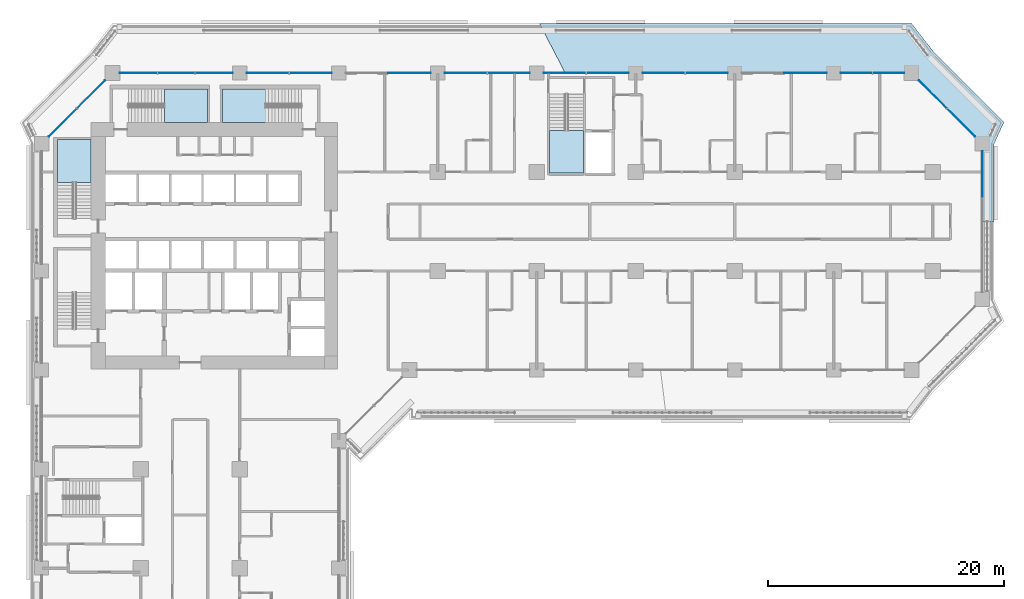
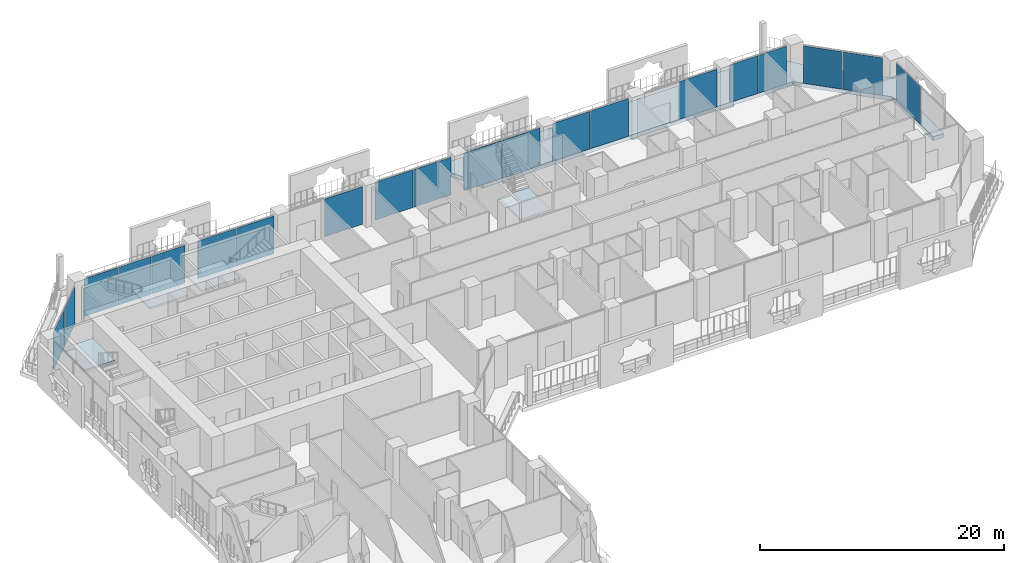
# One storey, part 12 of 28: 20 plates, 5 slabs, 8 elements without a shape of their own.
"""IFC4 building model written with IfcOpenShell, lengths in metres."""

from ifc_helpers import new_model, si_unit, direction, frame, origin, origin_2d, place, context, subcontext, project, spatial, polyline, rectangle, outline, extrude, material, layer, layer_set, type_object, element, aggregate, save


model = new_model("IFC4")

# Units and contexts
model_context = context("Model", 3, precision=1e-05, world=origin(), true_north=direction((0.0, 1.0)))
body_context = subcontext(model_context, "Body", "Model", "MODEL_VIEW")
ifc_project = project(units=[si_unit("LENGTHUNIT", "METRE"), si_unit("AREAUNIT", "SQUARE_METRE"), si_unit("VOLUMEUNIT", "CUBIC_METRE"), si_unit("PLANEANGLEUNIT", "RADIAN"), si_unit("MASSUNIT", "GRAM", prefix="KILO")], contexts=[model_context])

# Site, building, storey
site_placement = place(None, origin())
site = spatial("IfcSite", under=ifc_project, at=site_placement, CompositionType="ELEMENT")
building_placement = place(site_placement, origin())
building = spatial("IfcBuilding", under=site, at=building_placement, Name="Kawkab Arch Medical Tower", CompositionType="ELEMENT")
storey_placement = place(building_placement, frame((0.0, 0.0, 72.800048828125)))
storey = spatial("IfcBuildingStorey", under=building, at=storey_placement, Name="L16", CompositionType="ELEMENT", Elevation=72.800048828125)

# Curtain wall, plate
ifc_material_1 = material(Name="Bronze anodised aluminium curtain wall frame", Category="aluminium")
ifc_layer_1 = layer(ifc_material_1, 0.159912109375)
ifc_layer_set_1 = layer_set([ifc_layer_1], Name="Bronze anodised aluminium curtain wall frame")
curtain_wall_type_1 = type_object("IfcCurtainWallType", Name="CW1 ward curtain wall", PredefinedType="NOTDEFINED", material=ifc_layer_set_1)
placement_1 = place(storey_placement, origin())
curtain_wall_1 = element("IfcCurtainWall", 1, at=placement_1, inside=storey, type_object=curtain_wall_type_1, Name="CW1 Ward curtain wall R09", PredefinedType="NOTDEFINED")
ifc_material_2 = material(Name="Tinted insulating glass, bronze low-e coating", Category="glass")
ifc_layer_2 = layer(ifc_material_2, 0.031982421875)
ifc_layer_set_2 = layer_set([ifc_layer_2], Name="Tinted insulating glass, bronze low-e coating")
plate_type_1 = type_object("IfcPlateType", Name="CW1 glazing unit 32", PredefinedType="CURTAIN_PANEL", material=ifc_layer_set_2)
plate_1_placement = place(storey_placement, frame((79.800048828125, -8.6015625, 0.0), z_axis=(0.0, 0.0, 1.0), x_axis=(0.0, 1.0, 0.0)))
plate_1 = element("IfcPlate", 2, at=plate_1_placement, type_object=plate_type_1, Name="CW1 glazing unit 1.3", PredefinedType="CURTAIN_PANEL", context=body_context, shape_type="SweptSolid", body=[
    extrude(rectangle(XDim=3.953369140625, YDim=0.031982421875, at=origin_2d()), origin(), (0.0, 0.0, 1.0), 3.780029296875),
])
aggregate(curtain_wall_1, [plate_1])

# Curtain wall, plates
curtain_wall_2 = element("IfcCurtainWall", 3, at=placement_1, inside=storey, type_object=curtain_wall_type_1, Name="CW1 Ward curtain wall R11", PredefinedType="NOTDEFINED")
plate_2_placement = place(storey_placement, frame((71.84619140625, 0.0, 0.0), z_axis=(0.0, 0.0, 1.0), x_axis=(-1.0, 0.0, 0.0)))
plate_2 = element("IfcPlate", 4, at=plate_2_placement, type_object=plate_type_1, Name="CW1 glazing unit 1.1", PredefinedType="CURTAIN_PANEL", context=body_context, shape_type="SweptSolid", body=[
    extrude(rectangle(XDim=2.657470703125, YDim=0.031982421875, at=origin_2d()), origin(), (0.0, 0.0, 1.0), 3.780029296875),
])
plate_3_placement = place(storey_placement, frame((69.128662109375, 0.0, 0.0), z_axis=(0.0, 0.0, 1.0), x_axis=(-1.0, 0.0, 0.0)))
plate_3 = element("IfcPlate", 5, at=plate_3_placement, type_object=plate_type_1, Name="CW1 glazing unit 1.2", PredefinedType="CURTAIN_PANEL", context=body_context, shape_type="SweptSolid", body=[
    extrude(rectangle(XDim=2.657470703125, YDim=0.031982421875, at=origin_2d()), origin(), (0.0, 0.0, 1.0), 3.780029296875),
])
plate_4_placement = place(storey_placement, frame((64.800048828125, 0.0, 0.0), z_axis=(0.0, 0.0, 1.0), x_axis=(-1.0, 0.0, 0.0)))
plate_4 = element("IfcPlate", 6, at=plate_4_placement, type_object=plate_type_1, Name="CW1 glazing unit 2.1", PredefinedType="CURTAIN_PANEL", context=body_context, shape_type="SweptSolid", body=[
    extrude(rectangle(XDim=3.60009765625, YDim=0.031982421875, at=origin_2d()), origin(), (0.0, 0.0, 1.0), 3.780029296875),
])
plate_5_placement = place(storey_placement, frame((56.4150390625, 0.0, 0.0), z_axis=(0.0, 0.0, 1.0), x_axis=(-1.0, 0.0, 0.0)))
plate_5 = element("IfcPlate", 7, at=plate_5_placement, type_object=plate_type_1, Name="CW1 glazing unit 3.1", PredefinedType="CURTAIN_PANEL", context=body_context, shape_type="SweptSolid", body=[
    extrude(rectangle(XDim=3.570068359375, YDim=0.031982421875, at=origin_2d()), origin(), (0.0, 0.0, 1.0), 3.780029296875),
])
plate_6_placement = place(storey_placement, frame((52.784912109375, 0.0, 0.0), z_axis=(0.0, 0.0, 1.0), x_axis=(-1.0, 0.0, 0.0)))
plate_6 = element("IfcPlate", 8, at=plate_6_placement, type_object=plate_type_1, Name="CW1 glazing unit 3.2", PredefinedType="CURTAIN_PANEL", context=body_context, shape_type="SweptSolid", body=[
    extrude(rectangle(XDim=3.570068359375, YDim=0.031982421875, at=origin_2d()), origin(), (0.0, 0.0, 1.0), 3.780029296875),
])
plate_7_placement = place(storey_placement, frame((48.014892578125, 0.0, 0.0), z_axis=(0.0, 0.0, 1.0), x_axis=(-1.0, 0.0, 0.0)))
plate_7 = element("IfcPlate", 9, at=plate_7_placement, type_object=plate_type_1, Name="CW1 glazing unit 4.1", PredefinedType="CURTAIN_PANEL", context=body_context, shape_type="SweptSolid", body=[
    extrude(rectangle(XDim=3.570068359375, YDim=0.031982421875, at=origin_2d()), origin(), (0.0, 0.0, 1.0), 3.780029296875),
])
plate_8_placement = place(storey_placement, frame((44.385009765625, 0.0, 0.0), z_axis=(0.0, 0.0, 1.0), x_axis=(-1.0, 0.0, 0.0)))
plate_8 = element("IfcPlate", 10, at=plate_8_placement, type_object=plate_type_1, Name="CW1 glazing unit 4.2", PredefinedType="CURTAIN_PANEL", context=body_context, shape_type="SweptSolid", body=[
    extrude(rectangle(XDim=3.570068359375, YDim=0.031982421875, at=origin_2d()), origin(), (0.0, 0.0, 1.0), 3.780029296875),
])
plate_9_placement = place(storey_placement, frame((39.614990234375, 0.0, 0.0), z_axis=(0.0, 0.0, 1.0), x_axis=(-1.0, 0.0, 0.0)))
plate_9 = element("IfcPlate", 11, at=plate_9_placement, type_object=plate_type_1, Name="CW1 glazing unit 5.1", PredefinedType="CURTAIN_PANEL", context=body_context, shape_type="SweptSolid", body=[
    extrude(rectangle(XDim=3.570068359375, YDim=0.031982421875, at=origin_2d()), origin(), (0.0, 0.0, 1.0), 3.780029296875),
])
plate_10_placement = place(storey_placement, frame((35.985107421875, 0.0, 0.0), z_axis=(0.0, 0.0, 1.0), x_axis=(-1.0, 0.0, 0.0)))
plate_10 = element("IfcPlate", 12, at=plate_10_placement, type_object=plate_type_1, Name="CW1 glazing unit 5.2", PredefinedType="CURTAIN_PANEL", context=body_context, shape_type="SweptSolid", body=[
    extrude(rectangle(XDim=3.570068359375, YDim=0.031982421875, at=origin_2d()), origin(), (0.0, 0.0, 1.0), 3.780029296875),
])
plate_11_placement = place(storey_placement, frame((31.199951171875, 0.0, 0.0), z_axis=(0.0, 0.0, 1.0), x_axis=(-1.0, 0.0, 0.0)))
plate_11 = element("IfcPlate", 13, at=plate_11_placement, type_object=plate_type_1, Name="CW1 glazing unit 6.1", PredefinedType="CURTAIN_PANEL", context=body_context, shape_type="SweptSolid", body=[
    extrude(rectangle(XDim=3.60009765625, YDim=0.031982421875, at=origin_2d()), origin(), (0.0, 0.0, 1.0), 3.780029296875),
])
plate_12_placement = place(storey_placement, frame((22.81494140625, 0.0, 0.0), z_axis=(0.0, 0.0, 1.0), x_axis=(-1.0, 0.0, 0.0)))
plate_12 = element("IfcPlate", 14, at=plate_12_placement, type_object=plate_type_1, Name="CW1 glazing unit 7.1", PredefinedType="CURTAIN_PANEL", context=body_context, shape_type="SweptSolid", body=[
    extrude(rectangle(XDim=3.570068359375, YDim=0.031982421875, at=origin_2d()), origin(), (0.0, 0.0, 1.0), 3.780029296875),
])
plate_13_placement = place(storey_placement, frame((19.18505859375, 0.0, 0.0), z_axis=(0.0, 0.0, 1.0), x_axis=(-1.0, 0.0, 0.0)))
plate_13 = element("IfcPlate", 15, at=plate_13_placement, type_object=plate_type_1, Name="CW1 glazing unit 7.2", PredefinedType="CURTAIN_PANEL", context=body_context, shape_type="SweptSolid", body=[
    extrude(rectangle(XDim=3.570068359375, YDim=0.031982421875, at=origin_2d()), origin(), (0.0, 0.0, 1.0), 3.780029296875),
])
plate_14_placement = place(storey_placement, frame((14.619140625, 0.0, 0.0), z_axis=(0.0, 0.0, 1.0), x_axis=(-1.0, 0.0, 0.0)))
plate_14 = element("IfcPlate", 16, at=plate_14_placement, type_object=plate_type_1, Name="CW1 glazing unit 8.1", PredefinedType="CURTAIN_PANEL", context=body_context, shape_type="SweptSolid", body=[
    extrude(rectangle(XDim=3.16162109375, YDim=0.031982421875, at=origin_2d()), origin(), (0.0, 0.0, 1.0), 3.780029296875),
])
plate_15_placement = place(storey_placement, frame((11.41259765625, 0.0, 0.0), z_axis=(0.0, 0.0, 1.0), x_axis=(-1.0, 0.0, 0.0)))
plate_15 = element("IfcPlate", 17, at=plate_15_placement, type_object=plate_type_1, Name="CW1 glazing unit 8.2", PredefinedType="CURTAIN_PANEL", context=body_context, shape_type="SweptSolid", body=[
    extrude(rectangle(XDim=3.131591796875, YDim=0.031982421875, at=origin_2d()), origin(), (0.0, 0.0, 1.0), 3.780029296875),
])
plate_16_placement = place(storey_placement, frame((8.205810546875, 0.0, 0.0), z_axis=(0.0, 0.0, 1.0), x_axis=(-1.0, 0.0, 0.0)))
plate_16 = element("IfcPlate", 18, at=plate_16_placement, type_object=plate_type_1, Name="CW1 glazing unit 8.3", PredefinedType="CURTAIN_PANEL", context=body_context, shape_type="SweptSolid", body=[
    extrude(rectangle(XDim=3.16162109375, YDim=0.031982421875, at=origin_2d()), origin(), (0.0, 0.0, 1.0), 3.780029296875),
])
aggregate(curtain_wall_2, [plate_2, plate_3, plate_4, plate_5, plate_6, plate_7, plate_8, plate_9, plate_10, plate_11, plate_12, plate_13, plate_14, plate_15, plate_16])

ifc_material_3 = material(Name="Bronze anodised aluminium curtain wall frame", Category="aluminium")
ifc_layer_3 = layer(ifc_material_3, 0.159912109375)
ifc_layer_set_3 = layer_set([ifc_layer_3], Name="Bronze anodised aluminium curtain wall frame")
curtain_wall_type_2 = type_object("IfcCurtainWallType", Name="CW2 chamfer curtain wall", PredefinedType="NOTDEFINED", material=ifc_layer_set_3)
curtain_wall_3 = element("IfcCurtainWall", 19, at=placement_1, inside=storey, type_object=curtain_wall_type_2, Name="CW2 Chamfer curtain wall R10", PredefinedType="NOTDEFINED")
ifc_material_4 = material(Name="Tinted insulating glass, bronze low-e coating", Category="glass")
ifc_layer_4 = layer(ifc_material_4, 0.031982421875)
ifc_layer_set_4 = layer_set([ifc_layer_4], Name="Tinted insulating glass, bronze low-e coating")
plate_type_2 = type_object("IfcPlateType", Name="CW2 glazing unit 32", PredefinedType="CURTAIN_PANEL", material=ifc_layer_set_4)
plate_17_placement = place(storey_placement, frame((77.998046875, -4.197998046875, 0.0), z_axis=(0.0, 0.0, 1.0), x_axis=(-0.707106781187, 0.707106781187, 0.0)))
plate_17 = element("IfcPlate", 20, at=plate_17_placement, type_object=plate_type_2, Name="CW2 glazing unit 1.1", PredefinedType="CURTAIN_PANEL", context=body_context, shape_type="SweptSolid", body=[
    extrude(rectangle(XDim=3.328857421875, YDim=0.031982421875, at=origin_2d()), origin(), (0.0, 0.0, 1.0), 3.760009765625),
])
plate_18_placement = place(storey_placement, frame((75.601806640625, -1.802001953125, 0.0), z_axis=(0.0, 0.0, 1.0), x_axis=(-0.707106781187, 0.707106781187, 0.0)))
plate_18 = element("IfcPlate", 21, at=plate_18_placement, type_object=plate_type_2, Name="CW2 glazing unit 1.2", PredefinedType="CURTAIN_PANEL", context=body_context, shape_type="SweptSolid", body=[
    extrude(rectangle(XDim=3.328857421875, YDim=0.031982421875, at=origin_2d()), origin(), (0.0, 0.0, 1.0), 3.760009765625),
])
aggregate(curtain_wall_3, [plate_17, plate_18])

curtain_wall_4 = element("IfcCurtainWall", 22, at=placement_1, inside=storey, type_object=curtain_wall_type_2, Name="CW2 Chamfer curtain wall R12", PredefinedType="NOTDEFINED")
plate_19_placement = place(storey_placement, frame((4.197998046875, -1.802001953125, 0.0), z_axis=(0.0, 0.0, 1.0), x_axis=(-0.707106781187, -0.707106781187, 0.0)))
plate_19 = element("IfcPlate", 23, at=plate_19_placement, type_object=plate_type_2, Name="CW2 glazing unit 1.1", PredefinedType="CURTAIN_PANEL", context=body_context, shape_type="SweptSolid", body=[
    extrude(rectangle(XDim=3.328857421875, YDim=0.031982421875, at=origin_2d()), origin(), (0.0, 0.0, 1.0), 3.760009765625),
])
plate_20_placement = place(storey_placement, frame((1.802001953125, -4.197998046875, 0.0), z_axis=(0.0, 0.0, 1.0), x_axis=(-0.707106781187, -0.707106781187, 0.0)))
plate_20 = element("IfcPlate", 24, at=plate_20_placement, type_object=plate_type_2, Name="CW2 glazing unit 1.2", PredefinedType="CURTAIN_PANEL", context=body_context, shape_type="SweptSolid", body=[
    extrude(rectangle(XDim=3.328857421875, YDim=0.031982421875, at=origin_2d()), origin(), (0.0, 0.0, 1.0), 3.760009765625),
])
aggregate(curtain_wall_4, [plate_19, plate_20])

# Stair, slab
ifc_material_5 = material(Name="Concrete C40/50", Category="concrete")
stair_type = type_object("IfcStairType", Name="Exit stair 1350", PredefinedType="HALF_TURN_STAIR", material=ifc_material_5)
stair_1 = element("IfcStair", 25, at=placement_1, inside=storey, type_object=stair_type, Name="L16 Exit stair ST1", PredefinedType="HALF_TURN_STAIR")
ifc_material_6 = material(Name="Concrete C40/50", Category="concrete")
ifc_layer_5 = layer(ifc_material_6, 0.199951171875)
ifc_layer_set_5 = layer_set([ifc_layer_5], Name="Concrete C40/50")
slab_type_1 = type_object("IfcSlabType", Name="Exit stair landing 200", PredefinedType="LANDING", material=ifc_layer_set_5)
placement_2 = place(storey_placement, frame((0.0, 0.0, 1.89990234375)))
slab_1 = element("IfcSlab", 26, at=placement_2, type_object=slab_type_1, Name="ST1 landing 1", PredefinedType="LANDING", context=body_context, shape_type="SweptSolid", body=[
    extrude(outline(polyline([(4.199951171875, -9.27001953125), (4.199951171875, -5.64990234375), (1.35009765625, -5.64990234375), (1.35009765625, -9.27001953125), (4.199951171875, -9.27001953125)])), origin(), (0.0, 0.0, 1.0), 0.199951171875),
])
aggregate(stair_1, [slab_1])

stair_2 = element("IfcStair", 27, at=placement_1, inside=storey, type_object=stair_type, Name="L16 Exit stair ST3", PredefinedType="HALF_TURN_STAIR")
slab_2 = element("IfcSlab", 28, at=placement_2, type_object=slab_type_1, Name="ST3 landing 1", PredefinedType="LANDING", context=body_context, shape_type="SweptSolid", body=[
    extrude(outline(polyline([(10.429931640625, -4.199951171875), (14.050048828125, -4.199951171875), (14.050048828125, -1.35009765625), (10.429931640625, -1.35009765625), (10.429931640625, -4.199951171875)])), origin(), (0.0, 0.0, 1.0), 0.199951171875),
])
aggregate(stair_2, [slab_2])

stair_3 = element("IfcStair", 29, at=placement_1, inside=storey, type_object=stair_type, Name="L16 Exit stair ST4", PredefinedType="HALF_TURN_STAIR")
slab_3 = element("IfcSlab", 30, at=placement_2, type_object=slab_type_1, Name="ST4 landing 1", PredefinedType="LANDING", context=body_context, shape_type="SweptSolid", body=[
    extrude(outline(polyline([(18.969970703125, -1.35009765625), (15.35009765625, -1.35009765625), (15.35009765625, -4.199951171875), (18.969970703125, -4.199951171875), (18.969970703125, -1.35009765625)])), origin(), (0.0, 0.0, 1.0), 0.199951171875),
])
aggregate(stair_3, [slab_3])

stair_4 = element("IfcStair", 31, at=placement_1, inside=storey, type_object=stair_type, Name="L16 Exit stair ST5", PredefinedType="HALF_TURN_STAIR")
slab_4 = element("IfcSlab", 32, at=placement_2, type_object=slab_type_1, Name="ST5 landing 1", PredefinedType="LANDING", context=body_context, shape_type="SweptSolid", body=[
    extrude(outline(polyline([(43.10009765625, -4.8798828125), (43.10009765625, -8.5), (45.949951171875, -8.5), (45.949951171875, -4.8798828125), (43.10009765625, -4.8798828125)])), origin(), (0.0, 0.0, 1.0), 0.199951171875),
])
aggregate(stair_4, [slab_4])

# Slab
ifc_material_7 = material(Name="Concrete C40/50", Category="concrete")
ifc_layer_6 = layer(ifc_material_7, 0.39990234375)
ifc_layer_set_6 = layer_set([ifc_layer_6], Name="Concrete C40/50")
slab_type_2 = type_object("IfcSlabType", Name="Loggia slab 400", PredefinedType="FLOOR", material=ifc_layer_set_6)
slab_5_placement = place(storey_placement, frame((0.0, 0.0, -0.400146484375)))
element("IfcSlab", 33, at=slab_5_placement, inside=storey, type_object=slab_type_2, Name="Loggia slab L16.6", PredefinedType="FLOOR", context=body_context, shape_type="SweptSolid", body=[
    extrude(outline(polyline([(75.637939453125, 1.837890625), (81.637939453125, -4.162109375), (80.800048828125, -6.0), (80.800048828125, -12.60009765625), (79.800048828125, -12.60009765625), (79.800048828125, -6.0), (73.800048828125, 0.0), (73.800048828125, 0.0009765625), (44.410888671875, 0.0009765625), (42.23388671875, 4.199951171875), (73.800048828125, 4.199951171875), (75.637939453125, 1.837890625)])), origin(), (0.0, 0.0, 1.0), 0.400146484375),
])

save(model, "model.ifc")
